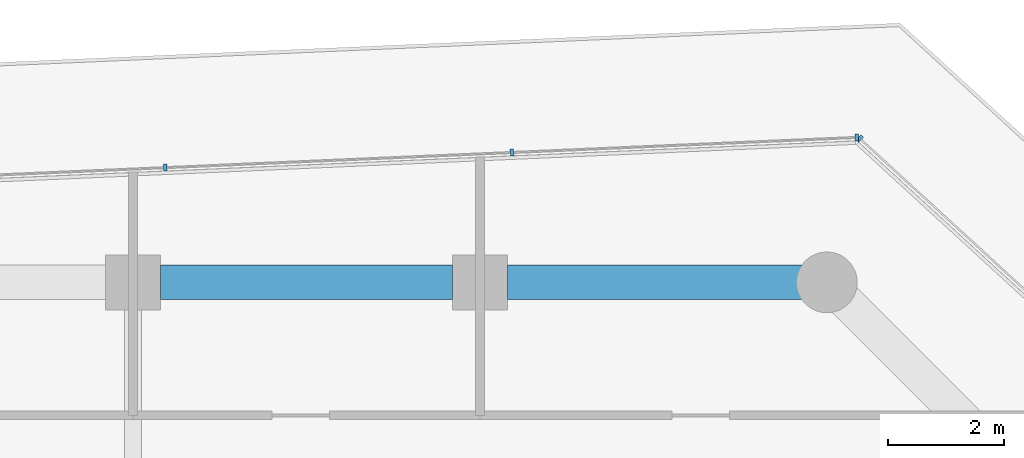
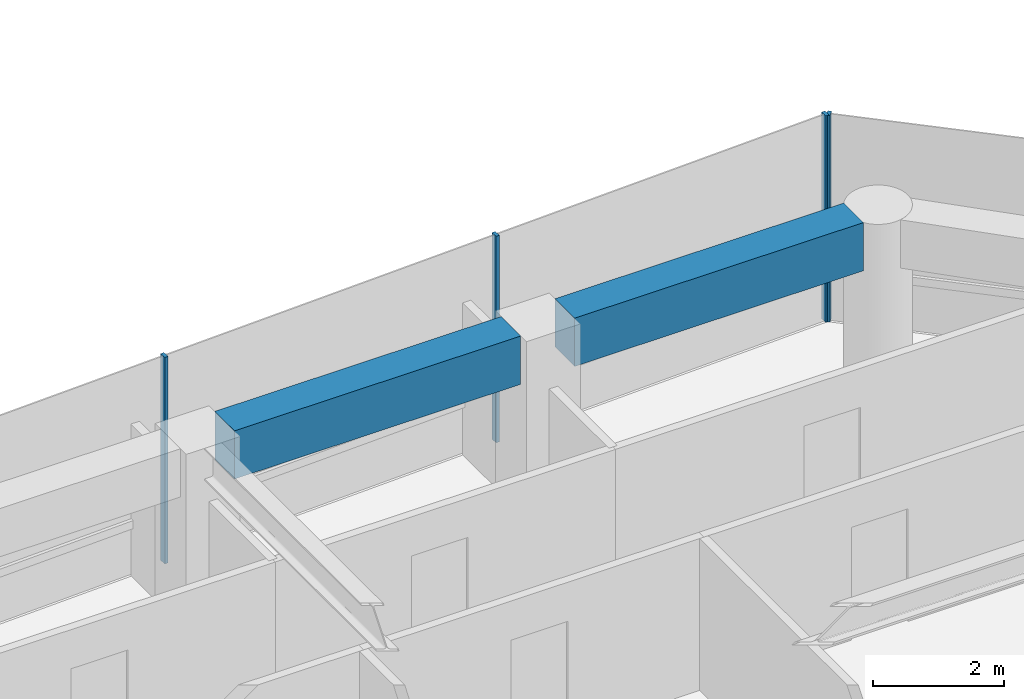
# One storey, part 13 of 29: 4 members, 2 beams, 2 elements without a shape of their own.
"""IFC4 building model written with IfcOpenShell, lengths in metres."""

from ifc_helpers import new_model, si_unit, direction, frame, origin, origin_2d, place, context, subcontext, project, spatial, rectangle, extrude, material, layer, layer_set, material_profile, profile_set, type_object, element, aggregate, save


model = new_model("IFC4")

# Units and contexts
model_context = context("Model", 3, precision=1e-05, world=origin(), true_north=direction((0.0, 1.0)))
body_context = subcontext(model_context, "Body", "Model", "MODEL_VIEW")
ifc_project = project(units=[si_unit("LENGTHUNIT", "METRE"), si_unit("AREAUNIT", "SQUARE_METRE"), si_unit("VOLUMEUNIT", "CUBIC_METRE"), si_unit("PLANEANGLEUNIT", "RADIAN"), si_unit("MASSUNIT", "GRAM", prefix="KILO")], contexts=[model_context])

# Site, building, storey
site_placement = place(None, origin())
site = spatial("IfcSite", under=ifc_project, at=site_placement, CompositionType="ELEMENT")
building_placement = place(site_placement, origin())
building = spatial("IfcBuilding", under=site, at=building_placement, Name="Welwitschia Terrace Campus", CompositionType="ELEMENT")
storey_placement = place(building_placement, frame((0.0, 0.0, 62.60009765625)))
storey = spatial("IfcBuildingStorey", under=building, at=storey_placement, Name="L14", CompositionType="ELEMENT", Elevation=62.60009765625)

# Curtain wall, member
ifc_material_1 = material(Name="Bronze anodised aluminium", Category="aluminium")
ifc_layer = layer(ifc_material_1, 0.1201171875)
ifc_layer_set = layer_set([ifc_layer], Name="Bronze anodised aluminium")
curtain_wall_type = type_object("IfcCurtainWallType", Name="Curtain wall CW2 tower 6000", PredefinedType="NOTDEFINED", material=ifc_layer_set)
curtain_wall_1_placement = place(storey_placement, origin())
curtain_wall_1 = element("IfcCurtainWall", 1, at=curtain_wall_1_placement, inside=storey, type_object=curtain_wall_type, Name="CW L14.6.0", PredefinedType="NOTDEFINED")
ifc_material_2 = material(Name="Bronze anodised aluminium", Category="aluminium")
ifc_material_profile_1 = material_profile(ifc_material_2, rectangle(XDim=0.1201171875, YDim=0.06005859375, at=origin_2d()))
ifc_profile_set_1 = profile_set([ifc_material_profile_1], Name="Bronze anodised aluminium")
member_type = type_object("IfcMemberType", Name="Mullion 60x120", PredefinedType="MULLION", material=ifc_profile_set_1)
member_1_placement = place(storey_placement, frame((60.569580078125, 22.487548828125, 0.0), z_axis=(0.0, 0.0, 1.0), x_axis=(-0.675590207616, -0.73727733681, 0.0)))
member_1 = element("IfcMember", 2, at=member_1_placement, type_object=member_type, Name="Mullion L14.6.0.2", PredefinedType="MULLION", context=body_context, shape_type="SweptSolid", body=[
    extrude(rectangle(XDim=0.1201171875, YDim=0.06005859375, at=origin_2d()), origin(), (0.0, 0.0, 1.0), 3.849853515625),
])
aggregate(curtain_wall_1, [member_1])

# Curtain wall, members
curtain_wall_2_placement = place(storey_placement, origin())
curtain_wall_2 = element("IfcCurtainWall", 3, at=curtain_wall_2_placement, inside=storey, type_object=curtain_wall_type, Name="CW L14.7.0", PredefinedType="NOTDEFINED")
member_2_placement = place(storey_placement, frame((60.517578125, 22.506591796875, 0.0), z_axis=(0.0, 0.0, 1.0), x_axis=(0.043619387365, -0.999048221582, 0.0)))
member_2 = element("IfcMember", 4, at=member_2_placement, type_object=member_type, Name="Mullion L14.7.0.0", PredefinedType="MULLION", context=body_context, shape_type="SweptSolid", body=[
    extrude(rectangle(XDim=0.1201171875, YDim=0.06005859375, at=origin_2d()), origin(), (0.0, 0.0, 1.0), 3.849853515625),
])
member_3_placement = place(storey_placement, frame((54.55322265625, 22.24609375, 0.0), z_axis=(0.0, 0.0, 1.0), x_axis=(0.043619387365, -0.999048221582, 0.0)))
member_3 = element("IfcMember", 5, at=member_3_placement, type_object=member_type, Name="Mullion L14.7.0.1", PredefinedType="MULLION", context=body_context, shape_type="SweptSolid", body=[
    extrude(rectangle(XDim=0.1201171875, YDim=0.06005859375, at=origin_2d()), origin(), (0.0, 0.0, 1.0), 3.849853515625),
])
member_4_placement = place(storey_placement, frame((48.558837890625, 21.984375, 0.0), z_axis=(0.0, 0.0, 1.0), x_axis=(0.043619387365, -0.999048221582, 0.0)))
member_4 = element("IfcMember", 6, at=member_4_placement, type_object=member_type, Name="Mullion L14.7.0.2", PredefinedType="MULLION", context=body_context, shape_type="SweptSolid", body=[
    extrude(rectangle(XDim=0.1201171875, YDim=0.06005859375, at=origin_2d()), origin(), (0.0, 0.0, 1.0), 3.849853515625),
])
aggregate(curtain_wall_2, [member_2, member_3, member_4])

# Beams
ifc_material_3 = material(Name="Concrete C60/75", Category="concrete")
ifc_material_profile_2 = material_profile(ifc_material_3, rectangle(XDim=0.60009765625, YDim=0.89990234375, at=origin_2d()))
ifc_profile_set_2 = profile_set([ifc_material_profile_2], Name="Concrete C60/75")
beam_type = type_object("IfcBeamType", Name="Ring spandrel 600x900", PredefinedType="SPANDREL", material=ifc_profile_set_2)
beam_1_placement = place(storey_placement, frame((59.568603515625, 20.0, 3.39990234375), z_axis=(-1.0, 0.0, 0.0), x_axis=(0.0, -1.0, 0.0)))
element("IfcBeam", 7, at=beam_1_placement, inside=storey, type_object=beam_type, Name="Spandrel SP2", PredefinedType="SPANDREL", context=body_context, shape_type="SweptSolid", body=[
    extrude(rectangle(XDim=0.60009765625, YDim=0.89990234375, at=origin_2d()), origin(), (0.0, 0.0, 1.0), 5.093017578125),
])
beam_2_placement = place(storey_placement, frame((53.5244140625, 20.0, 3.39990234375), z_axis=(-1.0, 0.0, 0.0), x_axis=(0.0, -1.0, 0.0)))
element("IfcBeam", 8, at=beam_2_placement, inside=storey, type_object=beam_type, Name="Spandrel SP2", PredefinedType="SPANDREL", context=body_context, shape_type="SweptSolid", body=[
    extrude(rectangle(XDim=0.60009765625, YDim=0.89990234375, at=origin_2d()), origin(), (0.0, 0.0, 1.0), 5.048828125),
])

save(model, "model.ifc")
